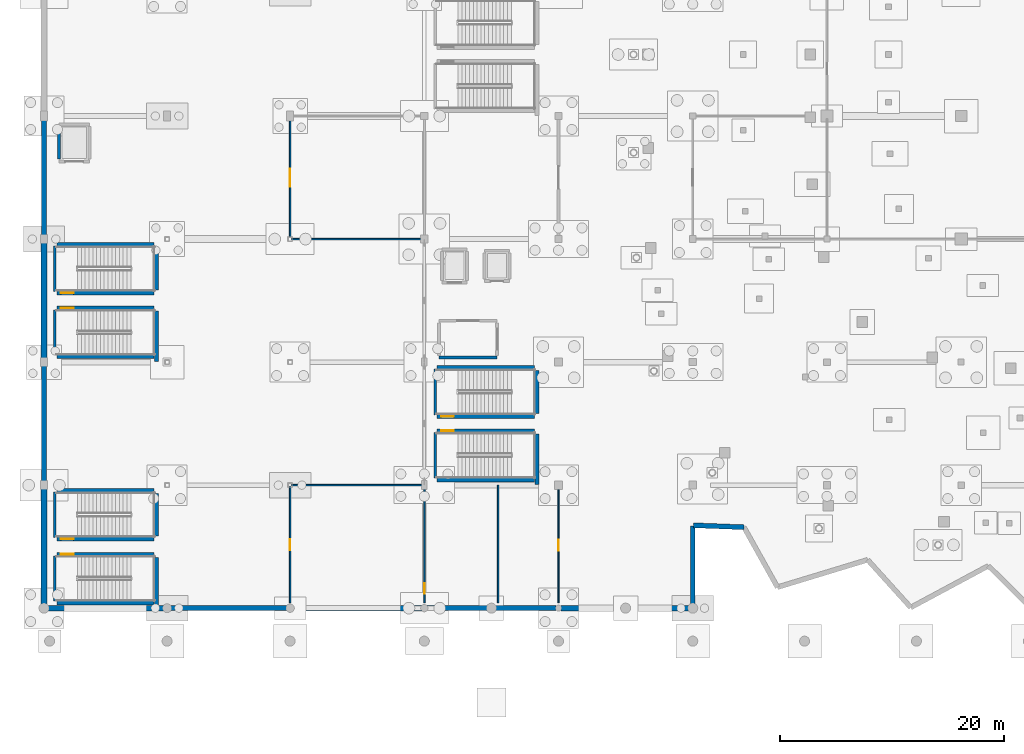
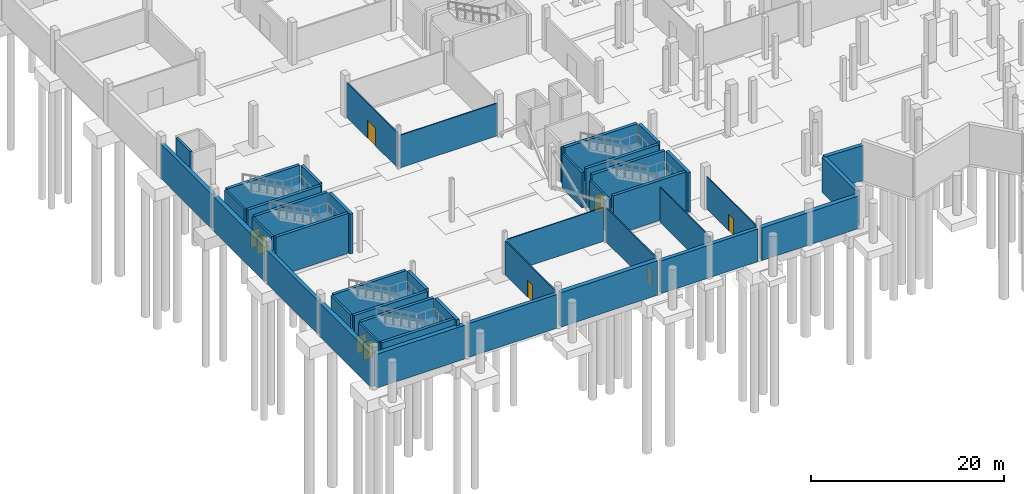
# One storey, part 29 of 60: 44 walls, 10 doors, 10 openings.
"""IFC4 building model written with IfcOpenShell, lengths in metres."""

from ifc_helpers import new_model, si_unit, direction, frame, frame_2d, origin, place, context, subcontext, project, spatial, rectangle, extrude, material, layer, layer_set, type_object, element, fill, save


model = new_model("IFC4")

# Units and contexts
model_context = context("Model", 3, precision=1e-05, world=origin(), true_north=direction((0.0, 1.0)))
body_context = subcontext(model_context, "Body", "Model", "MODEL_VIEW")
ifc_project = project(units=[si_unit("LENGTHUNIT", "METRE"), si_unit("AREAUNIT", "SQUARE_METRE"), si_unit("VOLUMEUNIT", "CUBIC_METRE"), si_unit("PLANEANGLEUNIT", "RADIAN"), si_unit("MASSUNIT", "GRAM", prefix="KILO")], contexts=[model_context])

# Site, building, storey
site_placement = place(None, origin())
site = spatial("IfcSite", under=ifc_project, at=site_placement, CompositionType="ELEMENT")
building_placement = place(site_placement, origin())
building = spatial("IfcBuilding", under=site, at=building_placement, Name="Luwafu Chhajja Arena", CompositionType="ELEMENT")
storey_placement = place(building_placement, frame((0.0, 0.0, -5.39990234375)))
storey = spatial("IfcBuildingStorey", under=building, at=storey_placement, Name="B1", CompositionType="ELEMENT", Elevation=-5.39990234375)

# Wall, opening, door
ifc_material_1 = material(Name="Lightweight blockwork partition", Category="masonry")
ifc_layer_1 = layer(ifc_material_1, 0.139892578125, Name="Lightweight blockwork partition")
ifc_layer_set_1 = layer_set([ifc_layer_1], Name="Lightweight blockwork partition")
wall_type_1 = type_object("IfcWallType", Name="Concourse Kiosk Partition 140", PredefinedType="PARTITIONING", material=ifc_layer_set_1)
wall_1_placement = place(storey_placement, frame((22.0, 0.47998046875, 0.0), z_axis=(0.0, 0.0, 1.0), x_axis=(0.0, 1.0, 0.0)))
wall_1 = element("IfcWall", 1, at=wall_1_placement, inside=storey, type_object=wall_type_1, Name="B1 Internal Partition 0019", PredefinedType="PARTITIONING", context=body_context, shape_type="SweptSolid", body=[
    extrude(rectangle(XDim=10.360107421875, YDim=0.139892578125, at=frame_2d((5.18017578125, 0.0))), origin(), (0.0, 0.0, 1.0), 4.27978515625),
])
opening_1_placement = place(wall_1_placement, frame((4.699951171875, 0.0, 0.0)))
opening_1 = element("IfcOpeningElement", 2, at=opening_1_placement, cuts=wall_1, Name="Opening DR-22", PredefinedType="OPENING", context=body_context, shape_type="SweptSolid", body=[
    extrude(rectangle(XDim=0.9599609375, YDim=2.14990234375, at=frame_2d((0.47998046875, 1.074951171875))), frame((0.0, 0.079833984375, 0.0), z_axis=(0.0, -1.0, 0.0), x_axis=(1.0, 0.0, 0.0)), (0.0, 0.0, 1.0), 0.159912109375),
])
ifc_material_2 = material(Name="Hardwood flush office door", Category="wood")
door_type_1 = type_object("IfcDoorType", Name="DR-22", OperationType="NOTDEFINED", PredefinedType="DOOR", material=ifc_material_2)
door_1_placement = place(opening_1_placement, origin())
door_1 = element("IfcDoor", 3, at=door_1_placement, inside=storey, type_object=door_type_1, Name="B1 Interior Door B1-D032", OperationType="SINGLE_SWING_RIGHT", OverallHeight=2.14990234375, OverallWidth=0.9599609375, PredefinedType="DOOR", context=body_context, shape_type="SweptSolid", body=[
    extrude(rectangle(XDim=0.9599609375, YDim=2.14990234375, at=frame_2d((0.47998046875, 1.074951171875))), frame((0.0, 0.02490234375, 0.0), z_axis=(0.0, -1.0, 0.0), x_axis=(1.0, 0.0, 0.0)), (0.0, 0.0, 1.0), 0.050048828125),
])
fill(opening_1, door_1)

wall_2_placement = place(storey_placement, frame((22.0, 33.159912109375, 0.0), z_axis=(0.0, 0.0, 1.0), x_axis=(0.0, 1.0, 0.0)))
wall_2 = element("IfcWall", 4, at=wall_2_placement, inside=storey, type_object=wall_type_1, Name="B1 Internal Partition 0020", PredefinedType="PARTITIONING", context=body_context, shape_type="SweptSolid", body=[
    extrude(rectangle(XDim=10.6201171875, YDim=0.139892578125, at=frame_2d((5.31005859375, 0.0))), origin(), (0.0, 0.0, 1.0), 4.40966796875),
])
opening_2_placement = place(wall_2_placement, frame((4.5, 0.0, 0.0)))
opening_2 = element("IfcOpeningElement", 5, at=opening_2_placement, cuts=wall_2, Name="Opening DR-23", PredefinedType="OPENING", context=body_context, shape_type="SweptSolid", body=[
    extrude(rectangle(XDim=1.6201171875, YDim=2.25, at=frame_2d((0.81005859375, 1.125))), frame((0.0, 0.079833984375, 0.0), z_axis=(0.0, -1.0, 0.0), x_axis=(1.0, 0.0, 0.0)), (0.0, 0.0, 1.0), 0.159912109375),
])
ifc_material_3 = material(Name="Hardwood flush glazed double door", Category="wood")
door_type_2 = type_object("IfcDoorType", Name="DR-23", OperationType="DOUBLE_DOOR_SINGLE_SWING", PredefinedType="DOOR", material=ifc_material_3)
door_2_placement = place(opening_2_placement, origin())
door_2 = element("IfcDoor", 6, at=door_2_placement, inside=storey, type_object=door_type_2, Name="B1 Interior Door B1-D033", OperationType="DOUBLE_DOOR_SINGLE_SWING", OverallHeight=2.25, OverallWidth=1.6201171875, PredefinedType="DOOR", context=body_context, shape_type="SweptSolid", body=[
    extrude(rectangle(XDim=1.6201171875, YDim=2.25, at=frame_2d((0.81005859375, 1.125))), frame((0.0, 0.02490234375, 0.0), z_axis=(0.0, -1.0, 0.0), x_axis=(1.0, 0.0, 0.0)), (0.0, 0.0, 1.0), 0.050048828125),
])
fill(opening_2, door_2)

wall_3_placement = place(storey_placement, frame((34.0, 0.47998046875, 0.0), z_axis=(0.0, 0.0, 1.0), x_axis=(0.0, 1.0, 0.0)))
wall_3 = element("IfcWall", 7, at=wall_3_placement, inside=storey, type_object=wall_type_1, Name="B1 Internal Partition 0102", PredefinedType="PARTITIONING", context=body_context, shape_type="SweptSolid", body=[
    extrude(rectangle(XDim=10.300048828125, YDim=0.139892578125, at=frame_2d((5.14990234375, 0.0))), origin(), (0.0, 0.0, 1.0), 4.329833984375),
])
opening_3_placement = place(wall_3_placement, frame((0.8076171875, 0.0, 0.0)))
opening_3 = element("IfcOpeningElement", 8, at=opening_3_placement, cuts=wall_3, Name="Opening DR-22", PredefinedType="OPENING", context=body_context, shape_type="SweptSolid", body=[
    extrude(rectangle(XDim=0.9599609375, YDim=2.14990234375, at=frame_2d((0.47998046875, 1.074951171875))), frame((0.0, 0.079833984375, 0.0), z_axis=(0.0, -1.0, 0.0), x_axis=(1.0, 0.0, 0.0)), (0.0, 0.0, 1.0), 0.159912109375),
])
door_3_placement = place(opening_3_placement, origin())
door_3 = element("IfcDoor", 9, at=door_3_placement, inside=storey, type_object=door_type_1, Name="B1 Interior Door B1-D074", OperationType="SINGLE_SWING_RIGHT", OverallHeight=2.14990234375, OverallWidth=0.9599609375, PredefinedType="DOOR", context=body_context, shape_type="SweptSolid", body=[
    extrude(rectangle(XDim=0.9599609375, YDim=2.14990234375, at=frame_2d((0.47998046875, 1.074951171875))), frame((0.0, 0.02490234375, 0.0), z_axis=(0.0, -1.0, 0.0), x_axis=(1.0, 0.0, 0.0)), (0.0, 0.0, 1.0), 0.050048828125),
])
fill(opening_3, door_3)

# Walls
ifc_material_4 = material(Name="Concrete C40/50", Category="concrete")
ifc_layer_2 = layer(ifc_material_4, 0.260009765625, Name="Concrete C40/50")
ifc_layer_set_2 = layer_set([ifc_layer_2], Name="Concrete C40/50")
wall_type_2 = type_object("IfcWallType", Name="Firefighting Lobby Wall 260", PredefinedType="SOLIDWALL", material=ifc_layer_set_2)
wall_4_placement = place(storey_placement, frame((35.300048828125, 22.39990234375, 0.0), z_axis=(0.0, 0.0, 1.0), x_axis=(1.0, 0.0, 0.0)))
element("IfcWall", 10, at=wall_4_placement, inside=storey, type_object=wall_type_2, Name="B1 Core C1 Firefighting Lobby Wall S", PredefinedType="SOLIDWALL", context=body_context, shape_type="SweptSolid", body=[
    extrude(rectangle(XDim=5.199951171875, YDim=0.260009765625, at=frame_2d((2.60009765625, 0.0))), origin(), (0.0, 0.0, 1.0), 4.40966796875),
])
ifc_material_5 = material(Name="Acoustic metal-stud gypsum board")
ifc_layer_3 = layer(ifc_material_5, 0.1201171875, Name="Acoustic metal-stud gypsum board")
ifc_layer_set_3 = layer_set([ifc_layer_3], Name="Acoustic metal-stud gypsum board")
wall_type_3 = type_object("IfcWallType", Name="Internal Room Partition 120", PredefinedType="PARTITIONING", material=ifc_layer_set_3)
wall_5_placement = place(storey_placement, frame((22.159912109375, 11.0, 0.0), z_axis=(0.0, 0.0, 1.0), x_axis=(1.0, 0.0, 0.0)))
element("IfcWall", 11, at=wall_5_placement, inside=storey, type_object=wall_type_3, Name="B1 Internal Partition 0023", PredefinedType="PARTITIONING", context=body_context, shape_type="SweptSolid", body=[
    extrude(rectangle(XDim=11.6201171875, YDim=0.1201171875, at=frame_2d((5.81005859375, 0.0))), origin(), (0.0, 0.0, 1.0), 4.27978515625),
])
wall_6_placement = place(storey_placement, frame((22.159912109375, 33.0, 0.0), z_axis=(0.0, 0.0, 1.0), x_axis=(1.0, 0.0, 0.0)))
element("IfcWall", 12, at=wall_6_placement, inside=storey, type_object=wall_type_3, Name="B1 Internal Partition 0024", PredefinedType="PARTITIONING", context=body_context, shape_type="SweptSolid", body=[
    extrude(rectangle(XDim=11.6201171875, YDim=0.1201171875, at=frame_2d((5.81005859375, 0.0))), origin(), (0.0, 0.0, 1.0), 4.1298828125),
])

# Wall, opening, door
wall_7_placement = place(storey_placement, frame((46.0, 0.47998046875, 0.0), z_axis=(0.0, 0.0, 1.0), x_axis=(0.0, 1.0, 0.0)))
wall_7 = element("IfcWall", 13, at=wall_7_placement, inside=storey, type_object=wall_type_3, Name="B1 Internal Partition 0030", PredefinedType="PARTITIONING", context=body_context, shape_type="SweptSolid", body=[
    extrude(rectangle(XDim=10.300048828125, YDim=0.1201171875, at=frame_2d((5.14990234375, 0.0))), origin(), (0.0, 0.0, 1.0), 4.079833984375),
])
opening_4_placement = place(wall_7_placement, frame((4.659912109375, 0.0, 0.0)))
opening_4 = element("IfcOpeningElement", 14, at=opening_4_placement, cuts=wall_7, Name="Opening DR-27", PredefinedType="OPENING", context=body_context, shape_type="SweptSolid", body=[
    extrude(rectangle(XDim=0.97998046875, YDim=2.10009765625, at=frame_2d((0.489990234375, 1.050048828125))), frame((0.0, 0.070068359375, 0.0), z_axis=(0.0, -1.0, 0.0), x_axis=(1.0, 0.0, 0.0)), (0.0, 0.0, 1.0), 0.14013671875),
])
ifc_material_6 = material(Name="Moisture-resistant laminate leaf")
door_type_3 = type_object("IfcDoorType", Name="DR-27", OperationType="NOTDEFINED", PredefinedType="DOOR", material=ifc_material_6)
door_4_placement = place(opening_4_placement, origin())
door_4 = element("IfcDoor", 15, at=door_4_placement, inside=storey, type_object=door_type_3, Name="B1 Interior Door B1-D036", OperationType="SINGLE_SWING_RIGHT", OverallHeight=2.10009765625, OverallWidth=0.97998046875, PredefinedType="DOOR", context=body_context, shape_type="SweptSolid", body=[
    extrude(rectangle(XDim=0.97998046875, YDim=2.10009765625, at=frame_2d((0.489990234375, 1.050048828125))), frame((0.0, 0.02490234375, 0.0), z_axis=(0.0, -1.0, 0.0), x_axis=(1.0, 0.0, 0.0)), (0.0, 0.0, 1.0), 0.050048828125),
])
fill(opening_4, door_4)

# Walls
wall_8_placement = place(storey_placement, frame((40.60009765625, 0.47998046875, 0.0), z_axis=(0.0, 0.0, 1.0), x_axis=(0.0, 1.0, 0.0)))
element("IfcWall", 16, at=wall_8_placement, inside=storey, type_object=wall_type_3, Name="B1 Internal Partition 0104", PredefinedType="PARTITIONING", context=body_context, shape_type="SweptSolid", body=[
    extrude(rectangle(XDim=10.52001953125, YDim=0.1201171875, at=frame_2d((5.260009765625, 0.0))), origin(), (0.0, 0.0, 1.0), 4.429931640625),
])
ifc_material_7 = material(Name="Concrete C35/45", Category="concrete")
ifc_layer_4 = layer(ifc_material_7, 0.260009765625, Name="Concrete C35/45")
ifc_layer_set_4 = layer_set([ifc_layer_4], Name="Concrete C35/45")
wall_type_4 = type_object("IfcWallType", Name="Lift and Riser Shaft Wall 260", PredefinedType="SOLIDWALL", material=ifc_layer_set_4)
wall_9_placement = place(storey_placement, frame((1.340087890625, 40.139892578125, 0.0), z_axis=(0.0, 0.0, 1.0), x_axis=(0.0, 1.0, 0.0)))
element("IfcWall", 17, at=wall_9_placement, inside=storey, type_object=wall_type_4, Name="B1 Lift LF-11 Shaft Wall W", PredefinedType="SOLIDWALL", context=body_context, shape_type="SweptSolid", body=[
    extrude(rectangle(XDim=2.920166015625, YDim=0.260009765625, at=frame_2d((1.4599609375, 0.0))), origin(), (0.0, 0.0, 1.0), 5.039794921875),
])
ifc_layer_5 = layer(ifc_material_4, 0.43994140625, Name="Concrete C40/50")
ifc_layer_set_5 = layer_set([ifc_layer_5], Name="Concrete C40/50")
wall_type_5 = type_object("IfcWallType", Name="RC Basement Retaining Wall 440", PredefinedType="SOLIDWALL", material=ifc_layer_set_5)
wall_10_placement = place(storey_placement, frame((58.080078125, 7.405517578125, 0.0), z_axis=(0.0, 0.0, 1.0), x_axis=(0.999296191983, -0.037511607381, 0.0)))
element("IfcWall", 18, at=wall_10_placement, inside=storey, type_object=wall_type_5, Name="B1 Pleated Bowl V-Fold Wall 41", PredefinedType="SOLIDWALL", context=body_context, shape_type="SweptSolid", body=[
    extrude(rectangle(XDim=4.497314453125, YDim=0.43994140625, at=frame_2d((2.24853515625, 0.0))), origin(), (0.0, 0.0, 1.0), 4.429931640625),
])
wall_11_placement = place(storey_placement, frame((0.0, 11.219970703125, 0.0), z_axis=(0.0, 0.0, 1.0), x_axis=(0.0, 1.0, 0.0)))
element("IfcWall", 19, at=wall_11_placement, inside=storey, type_object=wall_type_5, Name="B1 Exterior Wall WEX-B1-003", PredefinedType="SOLIDWALL", context=body_context, shape_type="SweptSolid", body=[
    extrude(rectangle(XDim=10.56005859375, YDim=0.43994140625, at=frame_2d((5.280029296875, 0.0))), origin(), (0.0, 0.0, 1.0), 4.22998046875),
])
wall_12_placement = place(storey_placement, frame((0.0, 33.219970703125, 0.0), z_axis=(0.0, 0.0, 1.0), x_axis=(0.0, 1.0, 0.0)))
element("IfcWall", 20, at=wall_12_placement, inside=storey, type_object=wall_type_5, Name="B1 Exterior Wall WEX-B1-005", PredefinedType="SOLIDWALL", context=body_context, shape_type="SweptSolid", body=[
    extrude(rectangle(XDim=10.56005859375, YDim=0.43994140625, at=frame_2d((5.280029296875, 0.0))), origin(), (0.0, 0.0, 1.0), 4.346435546875),
])
wall_13_placement = place(storey_placement, frame((11.219970703125, 0.0, 0.0), z_axis=(0.0, 0.0, 1.0), x_axis=(1.0, 0.0, 0.0)))
element("IfcWall", 21, at=wall_13_placement, inside=storey, type_object=wall_type_5, Name="B1 Exterior Wall WEX-B1-012", PredefinedType="SOLIDWALL", context=body_context, shape_type="SweptSolid", body=[
    extrude(rectangle(XDim=10.56005859375, YDim=0.43994140625, at=frame_2d((5.280029296875, 0.0))), origin(), (0.0, 0.0, 1.0), 4.27978515625),
])
wall_14_placement = place(storey_placement, frame((34.219970703125, 0.0, 0.0), z_axis=(0.0, 0.0, 1.0), x_axis=(1.0, 0.0, 0.0)))
element("IfcWall", 22, at=wall_14_placement, inside=storey, type_object=wall_type_5, Name="B1 Exterior Wall WEX-B1-016", PredefinedType="SOLIDWALL", context=body_context, shape_type="SweptSolid", body=[
    extrude(rectangle(XDim=11.56005859375, YDim=0.43994140625, at=frame_2d((5.780029296875, 0.0))), origin(), (0.0, 0.0, 1.0), 4.1298828125),
])
wall_15_placement = place(storey_placement, frame((58.0, 0.219970703125, 0.0), z_axis=(0.0, 0.0, 1.0), x_axis=(0.0, 1.0, 0.0)))
element("IfcWall", 23, at=wall_15_placement, inside=storey, type_object=wall_type_5, Name="B1 Exterior Wall WEX-B1-022", PredefinedType="SOLIDWALL", context=body_context, shape_type="SweptSolid", body=[
    extrude(rectangle(XDim=7.12841796875, YDim=0.43994140625, at=frame_2d((3.564208984375, 0.0))), origin(), (0.0, 0.0, 1.0), 4.429931640625),
])
ifc_layer_6 = layer(ifc_material_4, 0.52001953125, Name="Concrete C40/50")
ifc_layer_set_6 = layer_set([ifc_layer_6], Name="Concrete C40/50")
wall_type_6 = type_object("IfcWallType", Name="RC Basement Retaining Wall 520", PredefinedType="SOLIDWALL", material=ifc_layer_set_6)
wall_16_placement = place(storey_placement, frame((0.219970703125, 0.0, 0.0), z_axis=(0.0, 0.0, 1.0), x_axis=(1.0, 0.0, 0.0)))
element("IfcWall", 24, at=wall_16_placement, inside=storey, type_object=wall_type_6, Name="B1 Exterior Wall WEX-B1-001", PredefinedType="SOLIDWALL", context=body_context, shape_type="SweptSolid", body=[
    extrude(rectangle(XDim=10.56005859375, YDim=0.52001953125, at=frame_2d((5.280029296875, 0.0))), origin(), (0.0, 0.0, 1.0), 4.27978515625),
])
wall_17_placement = place(storey_placement, frame((0.0, 0.219970703125, 0.0), z_axis=(0.0, 0.0, 1.0), x_axis=(0.0, 1.0, 0.0)))
element("IfcWall", 25, at=wall_17_placement, inside=storey, type_object=wall_type_6, Name="B1 Exterior Wall WEX-B1-002", PredefinedType="SOLIDWALL", context=body_context, shape_type="SweptSolid", body=[
    extrude(rectangle(XDim=10.56005859375, YDim=0.52001953125, at=frame_2d((5.280029296875, 0.0))), origin(), (0.0, 0.0, 1.0), 4.22998046875),
])
wall_18_placement = place(storey_placement, frame((0.0, 22.219970703125, 0.0), z_axis=(0.0, 0.0, 1.0), x_axis=(0.0, 1.0, 0.0)))
element("IfcWall", 26, at=wall_18_placement, inside=storey, type_object=wall_type_6, Name="B1 Exterior Wall WEX-B1-004", PredefinedType="SOLIDWALL", context=body_context, shape_type="SweptSolid", body=[
    extrude(rectangle(XDim=10.56005859375, YDim=0.52001953125, at=frame_2d((5.280029296875, 0.0))), origin(), (0.0, 0.0, 1.0), 4.329833984375),
])
wall_19_placement = place(storey_placement, frame((22.219970703125, 0.0, 0.0), z_axis=(0.0, 0.0, 1.0), x_axis=(1.0, 0.0, 0.0)))
element("IfcWall", 27, at=wall_19_placement, inside=storey, type_object=wall_type_6, Name="B1 Exterior Wall WEX-B1-014", PredefinedType="SOLIDWALL", context=body_context, shape_type="SweptSolid", body=[
    extrude(rectangle(XDim=11.56005859375, YDim=0.52001953125, at=frame_2d((5.780029296875, 0.0))), origin(), (0.0, 0.0, 1.0), 4.346435546875),
])
wall_20_placement = place(storey_placement, frame((46.219970703125, 0.0, 0.0), z_axis=(0.0, 0.0, 1.0), x_axis=(1.0, 0.0, 0.0)))
element("IfcWall", 28, at=wall_20_placement, inside=storey, type_object=wall_type_6, Name="B1 Exterior Wall WEX-B1-021", PredefinedType="SOLIDWALL", context=body_context, shape_type="SweptSolid", body=[
    extrude(rectangle(XDim=11.56005859375, YDim=0.52001953125, at=frame_2d((5.780029296875, 0.0))), origin(), (0.0, 0.0, 1.0), 4.1298828125),
])
ifc_layer_7 = layer(ifc_material_4, 0.35009765625, Name="Concrete C40/50")
ifc_layer_set_7 = layer_set([ifc_layer_7], Name="Concrete C40/50")
wall_type_7 = type_object("IfcWallType", Name="RC Core Shear Wall 350", PredefinedType="SOLIDWALL", material=ifc_layer_set_7)
wall_21_placement = place(storey_placement, frame((44.072021484375, 11.050048828125, 0.0), z_axis=(0.0, 0.0, 1.0), x_axis=(0.0, 1.0, 0.0)))
element("IfcWall", 29, at=wall_21_placement, inside=storey, type_object=wall_type_7, Name="B1 Stair ST-01 Core Shear Wall E", PredefinedType="SOLIDWALL", context=body_context, shape_type="SweptSolid", body=[
    extrude(rectangle(XDim=4.5400390625, YDim=0.35009765625, at=frame_2d((2.27001953125, 0.0))), origin(), (0.0, 0.0, 1.0), 5.039794921875),
])
wall_22_placement = place(storey_placement, frame((35.14990234375, 11.47802734375, 0.0), z_axis=(0.0, 0.0, 1.0), x_axis=(1.0, 0.0, 0.0)))
element("IfcWall", 30, at=wall_22_placement, inside=storey, type_object=wall_type_7, Name="B1 Stair ST-01 Core Shear Wall S", PredefinedType="SOLIDWALL", context=body_context, shape_type="SweptSolid", body=[
    extrude(rectangle(XDim=8.7001953125, YDim=0.35009765625, at=frame_2d((4.35009765625, 0.0))), origin(), (0.0, 0.0, 1.0), 5.039794921875),
])

# Wall, opening, door
wall_23_placement = place(storey_placement, frame((35.14990234375, 15.862060546875, 0.0), z_axis=(0.0, 0.0, 1.0), x_axis=(1.0, 0.0, 0.0)))
wall_23 = element("IfcWall", 31, at=wall_23_placement, inside=storey, type_object=wall_type_7, Name="B1 Stair ST-01 Core Shear Wall N", PredefinedType="SOLIDWALL", context=body_context, shape_type="SweptSolid", body=[
    extrude(rectangle(XDim=8.7001953125, YDim=0.35009765625, at=frame_2d((4.35009765625, 0.0))), origin(), (0.0, 0.0, 1.0), 5.039794921875),
])
opening_5_placement = place(wall_23_placement, frame((0.35009765625, 0.0, 0.0)))
opening_5 = element("IfcOpeningElement", 32, at=opening_5_placement, cuts=wall_23, Name="Opening DR-06", PredefinedType="OPENING", context=body_context, shape_type="SweptSolid", body=[
    extrude(rectangle(XDim=1.14990234375, YDim=2.199951171875, at=frame_2d((0.574951171875, 1.10009765625))), frame((0.0, 0.18505859375, 0.0), z_axis=(0.0, -1.0, 0.0), x_axis=(1.0, 0.0, 0.0)), (0.0, 0.0, 1.0), 0.3701171875),
])
ifc_material_8 = material(Name="Fire-rated hardwood and steel core", Category="steel")
door_type_4 = type_object("IfcDoorType", Name="DR-06", OperationType="NOTDEFINED", PredefinedType="DOOR", material=ifc_material_8)
door_5_placement = place(opening_5_placement, origin())
door_5 = element("IfcDoor", 33, at=door_5_placement, inside=storey, type_object=door_type_4, Name="B1 Escape Stair ST-01 Fire Door B1-D001", OperationType="SINGLE_SWING_RIGHT", OverallHeight=2.199951171875, OverallWidth=1.14990234375, PredefinedType="DOOR", context=body_context, shape_type="SweptSolid", body=[
    extrude(rectangle(XDim=1.14990234375, YDim=2.199951171875, at=frame_2d((0.574951171875, 1.10009765625))), frame((0.0, 0.02490234375, 0.0), z_axis=(0.0, -1.0, 0.0), x_axis=(1.0, 0.0, 0.0)), (0.0, 0.0, 1.0), 0.050048828125),
])
fill(opening_5, door_5)

# Wall
wall_24_placement = place(storey_placement, frame((44.072021484375, 17.409912109375, 0.0), z_axis=(0.0, 0.0, 1.0), x_axis=(0.0, 1.0, 0.0)))
element("IfcWall", 34, at=wall_24_placement, inside=storey, type_object=wall_type_7, Name="B1 Stair ST-02 Core Shear Wall E", PredefinedType="SOLIDWALL", context=body_context, shape_type="SweptSolid", body=[
    extrude(rectangle(XDim=3.840087890625, YDim=0.35009765625, at=frame_2d((1.919921875, 0.0))), origin(), (0.0, 0.0, 1.0), 5.039794921875),
])

# Wall, opening, door
wall_25_placement = place(storey_placement, frame((35.14990234375, 17.137939453125, 0.0), z_axis=(0.0, 0.0, 1.0), x_axis=(1.0, 0.0, 0.0)))
wall_25 = element("IfcWall", 35, at=wall_25_placement, inside=storey, type_object=wall_type_7, Name="B1 Stair ST-02 Core Shear Wall S", PredefinedType="SOLIDWALL", context=body_context, shape_type="SweptSolid", body=[
    extrude(rectangle(XDim=8.7001953125, YDim=0.35009765625, at=frame_2d((4.35009765625, 0.0))), origin(), (0.0, 0.0, 1.0), 5.039794921875),
])
opening_6_placement = place(wall_25_placement, frame((0.35009765625, 0.0, 0.0)))
opening_6 = element("IfcOpeningElement", 36, at=opening_6_placement, cuts=wall_25, Name="Opening DR-06", PredefinedType="OPENING", context=body_context, shape_type="SweptSolid", body=[
    extrude(rectangle(XDim=1.14990234375, YDim=2.199951171875, at=frame_2d((0.574951171875, 1.10009765625))), frame((0.0, 0.18505859375, 0.0), z_axis=(0.0, -1.0, 0.0), x_axis=(1.0, 0.0, 0.0)), (0.0, 0.0, 1.0), 0.3701171875),
])
door_6_placement = place(opening_6_placement, origin())
door_6 = element("IfcDoor", 37, at=door_6_placement, inside=storey, type_object=door_type_4, Name="B1 Escape Stair ST-02 Fire Door B1-D002", OperationType="SINGLE_SWING_LEFT", OverallHeight=2.199951171875, OverallWidth=1.14990234375, PredefinedType="DOOR", context=body_context, shape_type="SweptSolid", body=[
    extrude(rectangle(XDim=1.14990234375, YDim=2.199951171875, at=frame_2d((0.574951171875, 1.10009765625))), frame((0.0, 0.02490234375, 0.0), z_axis=(0.0, -1.0, 0.0), x_axis=(1.0, 0.0, 0.0)), (0.0, 0.0, 1.0), 0.050048828125),
])
fill(opening_6, door_6)

# Walls
wall_26_placement = place(storey_placement, frame((35.14990234375, 21.52197265625, 0.0), z_axis=(0.0, 0.0, 1.0), x_axis=(1.0, 0.0, 0.0)))
element("IfcWall", 38, at=wall_26_placement, inside=storey, type_object=wall_type_7, Name="B1 Stair ST-02 Core Shear Wall N", PredefinedType="SOLIDWALL", context=body_context, shape_type="SweptSolid", body=[
    extrude(rectangle(XDim=8.7001953125, YDim=0.35009765625, at=frame_2d((4.35009765625, 0.0))), origin(), (0.0, 0.0, 1.0), 5.039794921875),
])
wall_27_placement = place(storey_placement, frame((10.072021484375, 22.050048828125, 0.0), z_axis=(0.0, 0.0, 1.0), x_axis=(0.0, 1.0, 0.0)))
element("IfcWall", 39, at=wall_27_placement, inside=storey, type_object=wall_type_7, Name="B1 Stair ST-13 Core Shear Wall E", PredefinedType="SOLIDWALL", context=body_context, shape_type="SweptSolid", body=[
    extrude(rectangle(XDim=4.5, YDim=0.35009765625, at=frame_2d((2.25, 0.0))), origin(), (0.0, 0.0, 1.0), 5.039794921875),
])
wall_28_placement = place(storey_placement, frame((1.14990234375, 22.47802734375, 0.0), z_axis=(0.0, 0.0, 1.0), x_axis=(1.0, 0.0, 0.0)))
element("IfcWall", 40, at=wall_28_placement, inside=storey, type_object=wall_type_7, Name="B1 Stair ST-13 Core Shear Wall S", PredefinedType="SOLIDWALL", context=body_context, shape_type="SweptSolid", body=[
    extrude(rectangle(XDim=8.7001953125, YDim=0.35009765625, at=frame_2d((4.35009765625, 0.0))), origin(), (0.0, 0.0, 1.0), 5.039794921875),
])

# Wall, opening, door
wall_29_placement = place(storey_placement, frame((1.14990234375, 26.822021484375, 0.0), z_axis=(0.0, 0.0, 1.0), x_axis=(1.0, 0.0, 0.0)))
wall_29 = element("IfcWall", 41, at=wall_29_placement, inside=storey, type_object=wall_type_7, Name="B1 Stair ST-13 Core Shear Wall N", PredefinedType="SOLIDWALL", context=body_context, shape_type="SweptSolid", body=[
    extrude(rectangle(XDim=8.7001953125, YDim=0.35009765625, at=frame_2d((4.35009765625, 0.0))), origin(), (0.0, 0.0, 1.0), 5.039794921875),
])
opening_7_placement = place(wall_29_placement, frame((0.35009765625, 0.0, 0.0)))
opening_7 = element("IfcOpeningElement", 42, at=opening_7_placement, cuts=wall_29, Name="Opening DR-06", PredefinedType="OPENING", context=body_context, shape_type="SweptSolid", body=[
    extrude(rectangle(XDim=1.14990234375, YDim=2.199951171875, at=frame_2d((0.574951171875, 1.10009765625))), frame((0.0, 0.18505859375, 0.0), z_axis=(0.0, -1.0, 0.0), x_axis=(1.0, 0.0, 0.0)), (0.0, 0.0, 1.0), 0.3701171875),
])
door_7_placement = place(opening_7_placement, origin())
door_7 = element("IfcDoor", 43, at=door_7_placement, inside=storey, type_object=door_type_4, Name="B1 Escape Stair ST-13 Fire Door B1-D021", OperationType="SINGLE_SWING_RIGHT", OverallHeight=2.199951171875, OverallWidth=1.14990234375, PredefinedType="DOOR", context=body_context, shape_type="SweptSolid", body=[
    extrude(rectangle(XDim=1.14990234375, YDim=2.199951171875, at=frame_2d((0.574951171875, 1.10009765625))), frame((0.0, 0.02490234375, 0.0), z_axis=(0.0, -1.0, 0.0), x_axis=(1.0, 0.0, 0.0)), (0.0, 0.0, 1.0), 0.050048828125),
])
fill(opening_7, door_7)

# Wall
wall_30_placement = place(storey_placement, frame((10.072021484375, 28.449951171875, 0.0), z_axis=(0.0, 0.0, 1.0), x_axis=(0.0, 1.0, 0.0)))
element("IfcWall", 44, at=wall_30_placement, inside=storey, type_object=wall_type_7, Name="B1 Stair ST-14 Core Shear Wall E", PredefinedType="SOLIDWALL", context=body_context, shape_type="SweptSolid", body=[
    extrude(rectangle(XDim=3.800048828125, YDim=0.35009765625, at=frame_2d((1.89990234375, 0.0))), origin(), (0.0, 0.0, 1.0), 5.039794921875),
])

# Wall, opening, door
wall_31_placement = place(storey_placement, frame((1.14990234375, 28.177978515625, 0.0), z_axis=(0.0, 0.0, 1.0), x_axis=(1.0, 0.0, 0.0)))
wall_31 = element("IfcWall", 45, at=wall_31_placement, inside=storey, type_object=wall_type_7, Name="B1 Stair ST-14 Core Shear Wall S", PredefinedType="SOLIDWALL", context=body_context, shape_type="SweptSolid", body=[
    extrude(rectangle(XDim=8.7001953125, YDim=0.35009765625, at=frame_2d((4.35009765625, 0.0))), origin(), (0.0, 0.0, 1.0), 5.039794921875),
])
opening_8_placement = place(wall_31_placement, frame((0.35009765625, 0.0, 0.0)))
opening_8 = element("IfcOpeningElement", 46, at=opening_8_placement, cuts=wall_31, Name="Opening DR-06", PredefinedType="OPENING", context=body_context, shape_type="SweptSolid", body=[
    extrude(rectangle(XDim=1.14990234375, YDim=2.199951171875, at=frame_2d((0.574951171875, 1.10009765625))), frame((0.0, 0.18505859375, 0.0), z_axis=(0.0, -1.0, 0.0), x_axis=(1.0, 0.0, 0.0)), (0.0, 0.0, 1.0), 0.3701171875),
])
door_8_placement = place(opening_8_placement, origin())
door_8 = element("IfcDoor", 47, at=door_8_placement, inside=storey, type_object=door_type_4, Name="B1 Escape Stair ST-14 Fire Door B1-D022", OperationType="SINGLE_SWING_LEFT", OverallHeight=2.199951171875, OverallWidth=1.14990234375, PredefinedType="DOOR", context=body_context, shape_type="SweptSolid", body=[
    extrude(rectangle(XDim=1.14990234375, YDim=2.199951171875, at=frame_2d((0.574951171875, 1.10009765625))), frame((0.0, 0.02490234375, 0.0), z_axis=(0.0, -1.0, 0.0), x_axis=(1.0, 0.0, 0.0)), (0.0, 0.0, 1.0), 0.050048828125),
])
fill(opening_8, door_8)

# Walls
wall_32_placement = place(storey_placement, frame((1.14990234375, 32.52197265625, 0.0), z_axis=(0.0, 0.0, 1.0), x_axis=(1.0, 0.0, 0.0)))
element("IfcWall", 48, at=wall_32_placement, inside=storey, type_object=wall_type_7, Name="B1 Stair ST-14 Core Shear Wall N", PredefinedType="SOLIDWALL", context=body_context, shape_type="SweptSolid", body=[
    extrude(rectangle(XDim=8.7001953125, YDim=0.35009765625, at=frame_2d((4.35009765625, 0.0))), origin(), (0.0, 0.0, 1.0), 5.039794921875),
])
wall_33_placement = place(storey_placement, frame((10.072021484375, 0.050048828125, 0.0), z_axis=(0.0, 0.0, 1.0), x_axis=(0.0, 1.0, 0.0)))
element("IfcWall", 49, at=wall_33_placement, inside=storey, type_object=wall_type_7, Name="B1 Stair ST-17 Core Shear Wall E", PredefinedType="SOLIDWALL", context=body_context, shape_type="SweptSolid", body=[
    extrude(rectangle(XDim=4.5, YDim=0.35009765625, at=frame_2d((2.25, 0.0))), origin(), (0.0, 0.0, 1.0), 5.039794921875),
])
wall_34_placement = place(storey_placement, frame((1.14990234375, 0.47802734375, 0.0), z_axis=(0.0, 0.0, 1.0), x_axis=(1.0, 0.0, 0.0)))
element("IfcWall", 50, at=wall_34_placement, inside=storey, type_object=wall_type_7, Name="B1 Stair ST-17 Core Shear Wall S", PredefinedType="SOLIDWALL", context=body_context, shape_type="SweptSolid", body=[
    extrude(rectangle(XDim=8.7001953125, YDim=0.35009765625, at=frame_2d((4.35009765625, 0.0))), origin(), (0.0, 0.0, 1.0), 5.039794921875),
])

# Wall, opening, door
wall_35_placement = place(storey_placement, frame((1.14990234375, 4.822021484375, 0.0), z_axis=(0.0, 0.0, 1.0), x_axis=(1.0, 0.0, 0.0)))
wall_35 = element("IfcWall", 51, at=wall_35_placement, inside=storey, type_object=wall_type_7, Name="B1 Stair ST-17 Core Shear Wall N", PredefinedType="SOLIDWALL", context=body_context, shape_type="SweptSolid", body=[
    extrude(rectangle(XDim=8.7001953125, YDim=0.35009765625, at=frame_2d((4.35009765625, 0.0))), origin(), (0.0, 0.0, 1.0), 5.039794921875),
])
opening_9_placement = place(wall_35_placement, frame((0.35009765625, 0.0, 0.0)))
opening_9 = element("IfcOpeningElement", 52, at=opening_9_placement, cuts=wall_35, Name="Opening DR-06", PredefinedType="OPENING", context=body_context, shape_type="SweptSolid", body=[
    extrude(rectangle(XDim=1.14990234375, YDim=2.199951171875, at=frame_2d((0.574951171875, 1.10009765625))), frame((0.0, 0.18505859375, 0.0), z_axis=(0.0, -1.0, 0.0), x_axis=(1.0, 0.0, 0.0)), (0.0, 0.0, 1.0), 0.3701171875),
])
door_9_placement = place(opening_9_placement, origin())
door_9 = element("IfcDoor", 53, at=door_9_placement, inside=storey, type_object=door_type_4, Name="B1 Escape Stair ST-17 Fire Door B1-D025", OperationType="SINGLE_SWING_RIGHT", OverallHeight=2.199951171875, OverallWidth=1.14990234375, PredefinedType="DOOR", context=body_context, shape_type="SweptSolid", body=[
    extrude(rectangle(XDim=1.14990234375, YDim=2.199951171875, at=frame_2d((0.574951171875, 1.10009765625))), frame((0.0, 0.02490234375, 0.0), z_axis=(0.0, -1.0, 0.0), x_axis=(1.0, 0.0, 0.0)), (0.0, 0.0, 1.0), 0.050048828125),
])
fill(opening_9, door_9)

# Wall
wall_36_placement = place(storey_placement, frame((10.072021484375, 6.449951171875, 0.0), z_axis=(0.0, 0.0, 1.0), x_axis=(0.0, 1.0, 0.0)))
element("IfcWall", 54, at=wall_36_placement, inside=storey, type_object=wall_type_7, Name="B1 Stair ST-18 Core Shear Wall E", PredefinedType="SOLIDWALL", context=body_context, shape_type="SweptSolid", body=[
    extrude(rectangle(XDim=3.800048828125, YDim=0.35009765625, at=frame_2d((1.89990234375, 0.0))), origin(), (0.0, 0.0, 1.0), 5.039794921875),
])

# Wall, opening, door
wall_37_placement = place(storey_placement, frame((1.14990234375, 6.177978515625, 0.0), z_axis=(0.0, 0.0, 1.0), x_axis=(1.0, 0.0, 0.0)))
wall_37 = element("IfcWall", 55, at=wall_37_placement, inside=storey, type_object=wall_type_7, Name="B1 Stair ST-18 Core Shear Wall S", PredefinedType="SOLIDWALL", context=body_context, shape_type="SweptSolid", body=[
    extrude(rectangle(XDim=8.7001953125, YDim=0.35009765625, at=frame_2d((4.35009765625, 0.0))), origin(), (0.0, 0.0, 1.0), 5.039794921875),
])
opening_10_placement = place(wall_37_placement, frame((0.35009765625, 0.0, 0.0)))
opening_10 = element("IfcOpeningElement", 56, at=opening_10_placement, cuts=wall_37, Name="Opening DR-06", PredefinedType="OPENING", context=body_context, shape_type="SweptSolid", body=[
    extrude(rectangle(XDim=1.14990234375, YDim=2.199951171875, at=frame_2d((0.574951171875, 1.10009765625))), frame((0.0, 0.18505859375, 0.0), z_axis=(0.0, -1.0, 0.0), x_axis=(1.0, 0.0, 0.0)), (0.0, 0.0, 1.0), 0.3701171875),
])
door_10_placement = place(opening_10_placement, origin())
door_10 = element("IfcDoor", 57, at=door_10_placement, inside=storey, type_object=door_type_4, Name="B1 Escape Stair ST-18 Fire Door B1-D026", OperationType="SINGLE_SWING_LEFT", OverallHeight=2.199951171875, OverallWidth=1.14990234375, PredefinedType="DOOR", context=body_context, shape_type="SweptSolid", body=[
    extrude(rectangle(XDim=1.14990234375, YDim=2.199951171875, at=frame_2d((0.574951171875, 1.10009765625))), frame((0.0, 0.02490234375, 0.0), z_axis=(0.0, -1.0, 0.0), x_axis=(1.0, 0.0, 0.0)), (0.0, 0.0, 1.0), 0.050048828125),
])
fill(opening_10, door_10)

# Walls
wall_38_placement = place(storey_placement, frame((1.14990234375, 10.52197265625, 0.0), z_axis=(0.0, 0.0, 1.0), x_axis=(1.0, 0.0, 0.0)))
element("IfcWall", 58, at=wall_38_placement, inside=storey, type_object=wall_type_7, Name="B1 Stair ST-18 Core Shear Wall N", PredefinedType="SOLIDWALL", context=body_context, shape_type="SweptSolid", body=[
    extrude(rectangle(XDim=8.7001953125, YDim=0.35009765625, at=frame_2d((4.35009765625, 0.0))), origin(), (0.0, 0.0, 1.0), 5.039794921875),
])
ifc_layer_8 = layer(ifc_material_7, 0.22998046875, Name="Concrete C35/45")
ifc_layer_set_8 = layer_set([ifc_layer_8], Name="Concrete C35/45")
wall_type_8 = type_object("IfcWallType", Name="Stair Enclosure Wall 230", PredefinedType="SOLIDWALL", material=ifc_layer_set_8)
for number, where, z_axis, x_axis, name in (
    (59, (34.9599609375, 11.6298828125, 0.0), (0.0, 0.0, 1.0), (0.0, 1.0, 0.0), "B1 Stair ST-01 Enclosure Wall W"),
    (60, (34.9599609375, 17.2900390625, 0.0), (0.0, 0.0, 1.0), (0.0, 1.0, 0.0), "B1 Stair ST-02 Enclosure Wall W"),
):
    element("IfcWall", number, at=place(storey_placement, frame(where, z_axis=z_axis, x_axis=x_axis)), inside=storey, type_object=wall_type_8, Name=name, PredefinedType="SOLIDWALL", context=body_context, shape_type="SweptSolid", body=[
        extrude(rectangle(XDim=4.080078125, YDim=0.22998046875, at=frame_2d((2.0400390625, 0.0))), origin(), (0.0, 0.0, 1.0), 4.429931640625),
    ])
for number, where, z_axis, x_axis, name in (
    (61, (0.9599609375, 22.6298828125, 0.0), (0.0, 0.0, 1.0), (0.0, 1.0, 0.0), "B1 Stair ST-13 Enclosure Wall W"),
    (62, (0.9599609375, 28.330078125, 0.0), (0.0, 0.0, 1.0), (0.0, 1.0, 0.0), "B1 Stair ST-14 Enclosure Wall W"),
    (63, (0.9599609375, 0.6298828125, 0.0), (0.0, 0.0, 1.0), (0.0, 1.0, 0.0), "B1 Stair ST-17 Enclosure Wall W"),
    (64, (0.9599609375, 6.330078125, 0.0), (0.0, 0.0, 1.0), (0.0, 1.0, 0.0), "B1 Stair ST-18 Enclosure Wall W"),
):
    element("IfcWall", number, at=place(storey_placement, frame(where, z_axis=z_axis, x_axis=x_axis)), inside=storey, type_object=wall_type_8, Name=name, PredefinedType="SOLIDWALL", context=body_context, shape_type="SweptSolid", body=[
        extrude(rectangle(XDim=4.0400390625, YDim=0.22998046875, at=frame_2d((2.02001953125, 0.0))), origin(), (0.0, 0.0, 1.0), 5.039794921875),
    ])

save(model, "model.ifc")
